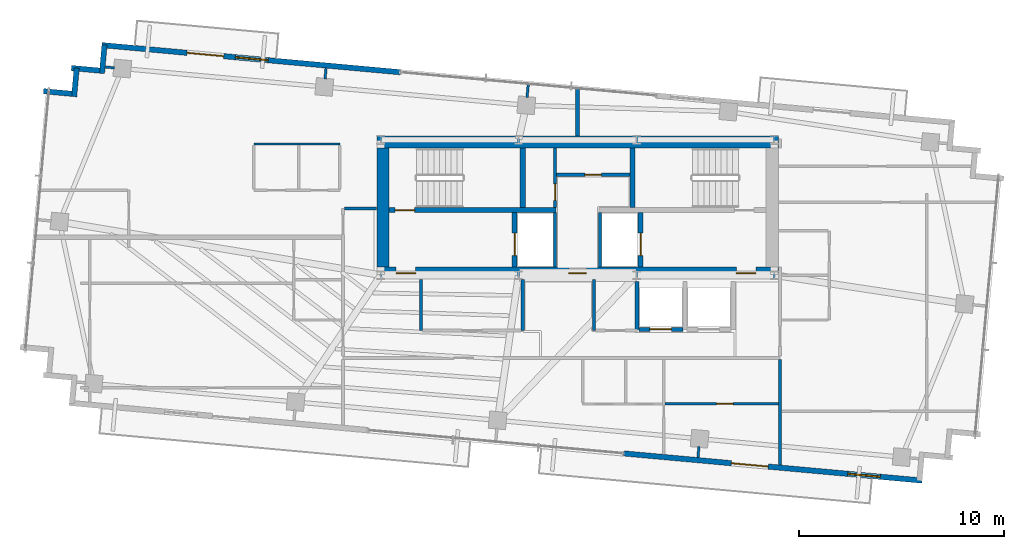
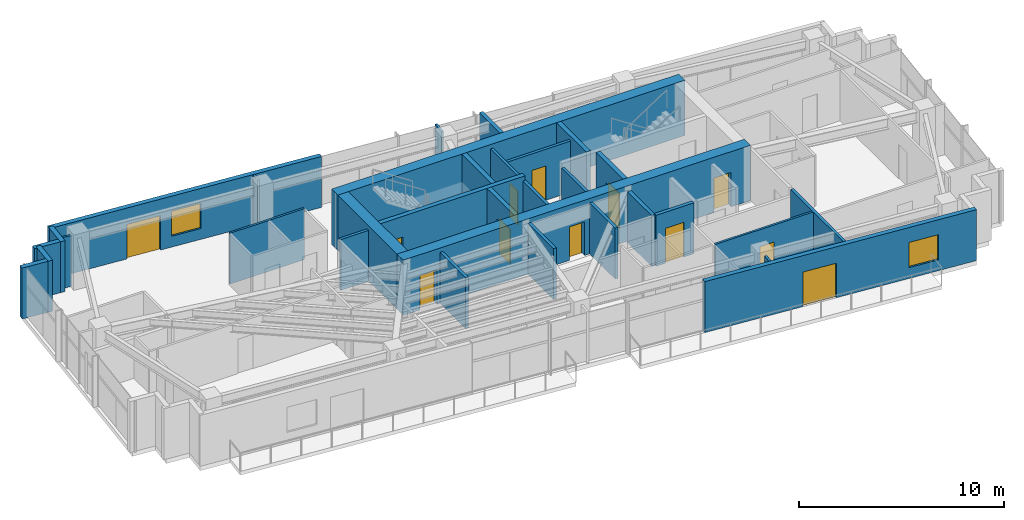
# One storey, part 17 of 22: 32 walls, 12 doors, 2 windows, 14 openings.
"""IFC4 building model written with IfcOpenShell, lengths in metres."""

from ifc_helpers import new_model, si_unit, direction, frame, frame_2d, origin, place, context, subcontext, project, spatial, rectangle, extrude, source, transform, mapped, material, layer, layer_set, type_object, type_shapes, element, fill, save


model = new_model("IFC4")

# Units and contexts
model_context = context("Model", 3, precision=1e-05, world=origin(), true_north=direction((0.0, 1.0)))
body_context = subcontext(model_context, "Body", "Model", "MODEL_VIEW")
ifc_project = project(units=[si_unit("LENGTHUNIT", "METRE"), si_unit("AREAUNIT", "SQUARE_METRE"), si_unit("VOLUMEUNIT", "CUBIC_METRE"), si_unit("PLANEANGLEUNIT", "RADIAN"), si_unit("MASSUNIT", "GRAM", prefix="KILO")], contexts=[model_context])

# Site, building, storey
site_placement = place(None, origin())
site = spatial("IfcSite", under=ifc_project, at=site_placement, CompositionType="ELEMENT")
building_placement = place(site_placement, origin())
building = spatial("IfcBuilding", under=site, at=building_placement, Name="Astriad Promenade Condominiums", CompositionType="ELEMENT")
storey_placement = place(building_placement, frame((0.0, 0.0, 252.89990234375)))
storey = spatial("IfcBuildingStorey", under=building, at=storey_placement, Name="L73", CompositionType="ELEMENT", Elevation=252.89990234375)

# Wall, openings, doors
ifc_material_1 = material(Name="Concrete C50/60", Category="concrete")
ifc_layer_1 = layer(ifc_material_1, 0.60009765625)
ifc_layer_set_1 = layer_set([ifc_layer_1], Name="Concrete C50/60")
wall_type_1 = type_object("IfcWallType", Name="CW-SHEAR-600", PredefinedType="SHEAR", material=ifc_layer_set_1)
wall_1_placement = place(storey_placement, frame((26.199951171875, 17.5, 0.0), z_axis=(0.0, 0.0, 1.0), x_axis=(1.0, 0.0, 0.0)))
wall_1 = element("IfcWall", 1, at=wall_1_placement, inside=storey, type_object=wall_type_1, Name="CW-CORE-S-L73", PredefinedType="SHEAR", context=body_context, shape_type="SweptSolid", body=[
    extrude(rectangle(XDim=19.60009765625, YDim=0.60009765625, at=frame_2d((9.800048828125, 0.0))), origin(), (0.0, 0.0, 1.0), 3.300048828125),
])
opening_1_placement = place(wall_1_placement, frame((0.949951171875, 0.0, 0.0)))
opening_1 = element("IfcOpeningElement", 2, at=opening_1_placement, cuts=wall_1, Name="Opening FD90-ST-095", PredefinedType="OPENING", context=body_context, shape_type="SweptSolid", body=[
    extrude(rectangle(XDim=0.949951171875, YDim=2.06005859375, at=frame_2d((0.47509765625, 1.030029296875))), frame((0.0, 0.31005859375, 0.0), z_axis=(0.0, -1.0, 0.0), x_axis=(1.0, 0.0, 0.0)), (0.0, 0.0, 1.0), 0.6201171875),
])
opening_2_placement = place(wall_1_placement, frame((9.3798828125, 0.0, 0.0)))
opening_2 = element("IfcOpeningElement", 3, at=opening_2_placement, cuts=wall_1, Name="Opening FD60-ULOW-085", PredefinedType="OPENING", context=body_context, shape_type="SweptSolid", body=[
    extrude(rectangle(XDim=0.85009765625, YDim=2.0, at=frame_2d((0.425048828125, 1.0))), frame((0.0, 0.31005859375, 0.0), z_axis=(0.0, -1.0, 0.0), x_axis=(1.0, 0.0, 0.0)), (0.0, 0.0, 1.0), 0.6201171875),
])
opening_3_placement = place(wall_1_placement, frame((17.550048828125, 0.0, 0.0)))
opening_3 = element("IfcOpeningElement", 4, at=opening_3_placement, cuts=wall_1, Name="Opening FD90-ST-095", PredefinedType="OPENING", context=body_context, shape_type="SweptSolid", body=[
    extrude(rectangle(XDim=0.949951171875, YDim=2.06005859375, at=frame_2d((0.47509765625, 1.030029296875))), frame((0.0, 0.31005859375, 0.0), z_axis=(0.0, -1.0, 0.0), x_axis=(1.0, 0.0, 0.0)), (0.0, 0.0, 1.0), 0.6201171875),
])
ifc_material_2 = material(Name="Fire-Rated Hollow Metal Stair Door")
door_type_1 = type_object("IfcDoorType", Name="FD90-ST-095", OperationType="NOTDEFINED", PredefinedType="DOOR", material=ifc_material_2)
shared_shape_1 = source(origin(), body_context, "Body", "SweptSolid", [
    extrude(rectangle(XDim=0.949951171875, YDim=2.06005859375, at=frame_2d((0.47509765625, 1.030029296875))), frame((0.0, 0.02490234375, 0.0), z_axis=(0.0, -1.0, 0.0), x_axis=(1.0, 0.0, 0.0)), (0.0, 0.0, 1.0), 0.050048828125),
])
type_shapes(door_type_1, [shared_shape_1])
door_1_placement = place(opening_1_placement, origin())
door_1 = element("IfcDoor", 5, at=door_1_placement, inside=storey, type_object=door_type_1, Name="D-FFW-L73", OperationType="SINGLE_SWING_LEFT", OverallHeight=2.06005859375, OverallWidth=0.949951171875, PredefinedType="DOOR", context=body_context, shape_type="MappedRepresentation", body=[
    mapped(shared_shape_1, transform((0.0, 0.0, 0.0), scale=1.0)),
])
fill(opening_1, door_1)
door_2_placement = place(opening_3_placement, origin())
door_2 = element("IfcDoor", 6, at=door_2_placement, inside=storey, type_object=door_type_1, Name="D-FFE-L73", OperationType="SINGLE_SWING_RIGHT", OverallHeight=2.06005859375, OverallWidth=0.949951171875, PredefinedType="DOOR", context=body_context, shape_type="MappedRepresentation", body=[
    mapped(shared_shape_1, transform((0.0, 0.0, 0.0), scale=1.0)),
])
fill(opening_3, door_2)
ifc_material_3 = material(Name="Solid-Core Low-Headroom Fire Door")
door_type_2 = type_object("IfcDoorType", Name="FD60-ULOW-085", OperationType="NOTDEFINED", PredefinedType="DOOR", material=ifc_material_3)
shared_shape_2 = source(origin(), body_context, "Body", "SweptSolid", [
    extrude(rectangle(XDim=0.85009765625, YDim=2.0, at=frame_2d((0.425048828125, 1.0))), frame((0.0, 0.02490234375, 0.0), z_axis=(0.0, -1.0, 0.0), x_axis=(1.0, 0.0, 0.0)), (0.0, 0.0, 1.0), 0.050048828125),
])
type_shapes(door_type_2, [shared_shape_2])
door_3_placement = place(opening_2_placement, origin())
door_3 = element("IfcDoor", 7, at=door_3_placement, inside=storey, type_object=door_type_2, Name="D-CSL-L73", OperationType="SINGLE_SWING_RIGHT", OverallHeight=2.0, OverallWidth=0.85009765625, PredefinedType="DOOR", context=body_context, shape_type="MappedRepresentation", body=[
    mapped(shared_shape_2, transform((0.0, 0.0, 0.0), scale=1.0)),
])
fill(opening_2, door_3)

# Walls
wall_2_placement = place(storey_placement, frame((26.199951171875, 23.89990234375, 0.0), z_axis=(0.0, 0.0, 1.0), x_axis=(1.0, 0.0, 0.0)))
element("IfcWall", 8, at=wall_2_placement, inside=storey, type_object=wall_type_1, Name="CW-CORE-N-L73", PredefinedType="SHEAR", context=body_context, shape_type="SweptSolid", body=[
    extrude(rectangle(XDim=19.60009765625, YDim=0.60009765625, at=frame_2d((9.800048828125, 0.0))), origin(), (0.0, 0.0, 1.0), 3.300048828125),
])
wall_3_placement = place(storey_placement, frame((26.5, 17.802001953125, 0.0), z_axis=(0.0, 0.0, 1.0), x_axis=(0.0, 1.0, 0.0)))
element("IfcWall", 9, at=wall_3_placement, inside=storey, type_object=wall_type_1, Name="CW-CORE-W-L73", PredefinedType="SHEAR", context=body_context, shape_type="SweptSolid", body=[
    extrude(rectangle(XDim=5.7958984375, YDim=0.60009765625, at=frame_2d((2.89794921875, 0.0))), origin(), (0.0, 0.0, 1.0), 3.300048828125),
])

# Wall, opening, door
ifc_layer_2 = layer(ifc_material_1, 0.25)
ifc_layer_set_2 = layer_set([ifc_layer_2], Name="Concrete C50/60")
wall_type_2 = type_object("IfcWallType", Name="WALL-CORE-INT-250", PredefinedType="SOLIDWALL", material=ifc_layer_set_2)
wall_4_placement = place(storey_placement, frame((26.802001953125, 20.574951171875, 0.0), z_axis=(0.0, 0.0, 1.0), x_axis=(1.0, 0.0, 0.0)))
wall_4 = element("IfcWall", 10, at=wall_4_placement, inside=storey, type_object=wall_type_2, Name="CW-INT-H1-L73", PredefinedType="SOLIDWALL", context=body_context, shape_type="SweptSolid", body=[
    extrude(rectangle(XDim=8.14794921875, YDim=0.25, at=frame_2d((4.073974609375, 0.0))), origin(), (0.0, 0.0, 1.0), 3.300048828125),
])
opening_4_placement = place(wall_4_placement, frame((0.298095703125, 0.0, 0.0)))
opening_4 = element("IfcOpeningElement", 11, at=opening_4_placement, cuts=wall_4, Name="Opening FD90-ST-095", PredefinedType="OPENING", context=body_context, shape_type="SweptSolid", body=[
    extrude(rectangle(XDim=0.949951171875, YDim=2.06005859375, at=frame_2d((0.47509765625, 1.030029296875))), frame((0.0, 0.135009765625, 0.0), z_axis=(0.0, -1.0, 0.0), x_axis=(1.0, 0.0, 0.0)), (0.0, 0.0, 1.0), 0.27001953125),
])
door_4_placement = place(opening_4_placement, origin())
door_4 = element("IfcDoor", 12, at=door_4_placement, inside=storey, type_object=door_type_1, Name="D-ST1-L73", OperationType="SINGLE_SWING_LEFT", OverallHeight=2.06005859375, OverallWidth=0.949951171875, PredefinedType="DOOR", context=body_context, shape_type="MappedRepresentation", body=[
    mapped(shared_shape_1, transform((0.0, 0.0, 0.0), scale=1.0)),
])
fill(opening_4, door_4)

# Walls
for number, where, z_axis, x_axis, name in (
    (13, (33.324951171875, 20.701904296875, 0.0), (0.0, 0.0, 1.0), (0.0, 1.0, 0.0), "CW-ST1-E-L73"),
    (14, (38.675048828125, 20.701904296875, 0.0), (0.0, 0.0, 1.0), (0.0, 1.0, 0.0), "CW-ST2-W-L73"),
):
    element("IfcWall", number, at=place(storey_placement, frame(where, z_axis=z_axis, x_axis=x_axis)), inside=storey, type_object=wall_type_2, Name=name, PredefinedType="SOLIDWALL", context=body_context, shape_type="SweptSolid", body=[
        extrude(rectangle(XDim=2.89599609375, YDim=0.25, at=frame_2d((1.447998046875, 0.0))), origin(), (0.0, 0.0, 1.0), 3.300048828125),
    ])

# Wall, opening, door
wall_5_placement = place(storey_placement, frame((32.925048828125, 17.802001953125, 0.0), z_axis=(0.0, 0.0, 1.0), x_axis=(0.0, 1.0, 0.0)))
wall_5 = element("IfcWall", 15, at=wall_5_placement, inside=storey, type_object=wall_type_2, Name="CW-FFL1-W-L73", PredefinedType="SOLIDWALL", context=body_context, shape_type="SweptSolid", body=[
    extrude(rectangle(XDim=2.64599609375, YDim=0.25, at=frame_2d((1.322998046875, 0.0))), origin(), (0.0, 0.0, 1.0), 3.300048828125),
])
opening_5_placement = place(wall_5_placement, frame((0.548095703125, 0.0, 0.0)))
opening_5 = element("IfcOpeningElement", 16, at=opening_5_placement, cuts=wall_5, Name="Opening LD-FFL-1122", PredefinedType="OPENING", context=body_context, shape_type="SweptSolid", body=[
    extrude(rectangle(XDim=1.10009765625, YDim=2.080078125, at=frame_2d((0.550048828125, 1.0400390625))), frame((0.0, 0.135009765625, 0.0), z_axis=(0.0, -1.0, 0.0), x_axis=(1.0, 0.0, 0.0)), (0.0, 0.0, 1.0), 0.27001953125),
])
ifc_material_4 = material(Name="Brushed Stainless Steel Fire Elevator Landing Door", Category="steel")
door_type_3 = type_object("IfcDoorType", Name="LD-FFL-1122", OperationType="NOTDEFINED", PredefinedType="DOOR", material=ifc_material_4)
shared_shape_3 = source(origin(), body_context, "Body", "SweptSolid", [
    extrude(rectangle(XDim=1.10009765625, YDim=2.080078125, at=frame_2d((0.550048828125, 1.0400390625))), frame((0.0, 0.02490234375, 0.0), z_axis=(0.0, -1.0, 0.0), x_axis=(1.0, 0.0, 0.0)), (0.0, 0.0, 1.0), 0.050048828125),
])
type_shapes(door_type_3, [shared_shape_3])
door_5_placement = place(opening_5_placement, origin())
door_5 = element("IfcDoor", 17, at=door_5_placement, inside=storey, type_object=door_type_3, Name="Elevator Landing Door FFL-1 (L73)", OperationType="SLIDING_TO_LEFT", OverallHeight=2.080078125, OverallWidth=1.10009765625, PredefinedType="DOOR", context=body_context, shape_type="MappedRepresentation", body=[
    mapped(shared_shape_3, transform((0.0, 0.0, 0.0), scale=1.0)),
])
fill(opening_5, door_5)

wall_6_placement = place(storey_placement, frame((39.074951171875, 17.802001953125, 0.0), z_axis=(0.0, 0.0, 1.0), x_axis=(0.0, 1.0, 0.0)))
wall_6 = element("IfcWall", 18, at=wall_6_placement, inside=storey, type_object=wall_type_2, Name="CW-FFL2-E-L73", PredefinedType="SOLIDWALL", context=body_context, shape_type="SweptSolid", body=[
    extrude(rectangle(XDim=2.64599609375, YDim=0.25, at=frame_2d((1.322998046875, 0.0))), origin(), (0.0, 0.0, 1.0), 3.300048828125),
])
opening_6_placement = place(wall_6_placement, frame((0.548095703125, 0.0, 0.0)))
opening_6 = element("IfcOpeningElement", 19, at=opening_6_placement, cuts=wall_6, Name="Opening LD-FFL-1122", PredefinedType="OPENING", context=body_context, shape_type="SweptSolid", body=[
    extrude(rectangle(XDim=1.10009765625, YDim=2.080078125, at=frame_2d((0.550048828125, 1.0400390625))), frame((0.0, 0.135009765625, 0.0), z_axis=(0.0, -1.0, 0.0), x_axis=(1.0, 0.0, 0.0)), (0.0, 0.0, 1.0), 0.27001953125),
])
door_6_placement = place(opening_6_placement, origin())
door_6 = element("IfcDoor", 20, at=door_6_placement, inside=storey, type_object=door_type_3, Name="Elevator Landing Door FFL-2 (L73)", OperationType="SLIDING_TO_RIGHT", OverallHeight=2.080078125, OverallWidth=1.10009765625, PredefinedType="DOOR", context=body_context, shape_type="MappedRepresentation", body=[
    mapped(shared_shape_3, transform((0.0, 0.0, 0.0), scale=1.0)),
])
fill(opening_6, door_6)

# Walls
ifc_material_5 = material(Name="Fire-Rated Gypsum Partition")
ifc_layer_3 = layer(ifc_material_5, 0.159912109375)
ifc_layer_set_3 = layer_set([ifc_layer_3], Name="Fire-Rated Gypsum Partition")
wall_type_3 = type_object("IfcWallType", Name="WALL-CORR-160", PredefinedType="PARTITIONING", material=ifc_layer_set_3)
for number, where, z_axis, x_axis, name in (
    (21, (34.89990234375, 17.802001953125, 0.0), (0.0, 0.0, 1.0), (0.0, 1.0, 0.0), "CW-FFL1-E-L73"),
    (22, (37.10009765625, 17.802001953125, 0.0), (0.0, 0.0, 1.0), (0.0, 1.0, 0.0), "CW-FFL2-W-L73"),
):
    element("IfcWall", number, at=place(storey_placement, frame(where, z_axis=z_axis, x_axis=x_axis)), inside=storey, type_object=wall_type_3, Name=name, PredefinedType="PARTITIONING", context=body_context, shape_type="SweptSolid", body=[
        extrude(rectangle(XDim=2.64599609375, YDim=0.159912109375, at=frame_2d((1.322998046875, 0.0))), origin(), (0.0, 0.0, 1.0), 3.0400390625),
    ])

# Wall, opening, door
wall_7_placement = place(storey_placement, frame((34.89990234375, 20.701904296875, 0.0), z_axis=(0.0, 0.0, 1.0), x_axis=(0.0, 1.0, 0.0)))
wall_7 = element("IfcWall", 23, at=wall_7_placement, inside=storey, type_object=wall_type_3, Name="CW-AUX-W-L73", PredefinedType="PARTITIONING", context=body_context, shape_type="SweptSolid", body=[
    extrude(rectangle(XDim=2.89599609375, YDim=0.159912109375, at=frame_2d((1.447998046875, 0.0))), origin(), (0.0, 0.0, 1.0), 3.0400390625),
])
opening_7_placement = place(wall_7_placement, frame((0.347900390625, 0.0, 0.0)))
opening_7 = element("IfcOpeningElement", 24, at=opening_7_placement, cuts=wall_7, Name="Opening FD60-SV-080", PredefinedType="OPENING", context=body_context, shape_type="SweptSolid", body=[
    extrude(rectangle(XDim=0.800048828125, YDim=2.050048828125, at=frame_2d((0.39990234375, 1.02490234375))), frame((0.0, 0.08984375, 0.0), z_axis=(0.0, -1.0, 0.0), x_axis=(1.0, 0.0, 0.0)), (0.0, 0.0, 1.0), 0.179931640625),
])
ifc_material_6 = material(Name="Fire-Rated Riser Closet Door")
door_type_4 = type_object("IfcDoorType", Name="FD60-SV-080", OperationType="NOTDEFINED", PredefinedType="DOOR", material=ifc_material_6)
shared_shape_4 = source(origin(), body_context, "Body", "SweptSolid", [
    extrude(rectangle(XDim=0.800048828125, YDim=2.050048828125, at=frame_2d((0.39990234375, 1.02490234375))), frame((0.0, 0.02490234375, 0.0), z_axis=(0.0, -1.0, 0.0), x_axis=(1.0, 0.0, 0.0)), (0.0, 0.0, 1.0), 0.050048828125),
])
type_shapes(door_type_4, [shared_shape_4])
door_7_placement = place(opening_7_placement, origin())
door_7 = element("IfcDoor", 25, at=door_7_placement, inside=storey, type_object=door_type_4, Name="D-AUX1-L73", OperationType="SINGLE_SWING_LEFT", OverallHeight=2.050048828125, OverallWidth=0.800048828125, PredefinedType="DOOR", context=body_context, shape_type="MappedRepresentation", body=[
    mapped(shared_shape_4, transform((0.0, 0.0, 0.0), scale=1.0)),
])
fill(opening_7, door_7)

wall_8_placement = place(storey_placement, frame((34.98193359375, 22.300048828125, 0.0), z_axis=(0.0, 0.0, 1.0), x_axis=(1.0, 0.0, 0.0)))
wall_8 = element("IfcWall", 26, at=wall_8_placement, inside=storey, type_object=wall_type_3, Name="CW-AUX-N-L73", PredefinedType="PARTITIONING", context=body_context, shape_type="SweptSolid", body=[
    extrude(rectangle(XDim=3.566162109375, YDim=0.159912109375, at=frame_2d((1.783203125, 0.0))), origin(), (0.0, 0.0, 1.0), 3.0400390625),
])
opening_8_placement = place(wall_8_placement, frame((1.3779296875, 0.0, 0.0)))
opening_8 = element("IfcOpeningElement", 27, at=opening_8_placement, cuts=wall_8, Name="Opening FD60-SV-080", PredefinedType="OPENING", context=body_context, shape_type="SweptSolid", body=[
    extrude(rectangle(XDim=0.800048828125, YDim=2.050048828125, at=frame_2d((0.39990234375, 1.02490234375))), frame((0.0, 0.08984375, 0.0), z_axis=(0.0, -1.0, 0.0), x_axis=(1.0, 0.0, 0.0)), (0.0, 0.0, 1.0), 0.179931640625),
])
door_8_placement = place(opening_8_placement, origin())
door_8 = element("IfcDoor", 28, at=door_8_placement, inside=storey, type_object=door_type_4, Name="D-AUX2-L73", OperationType="SINGLE_SWING_RIGHT", OverallHeight=2.050048828125, OverallWidth=0.800048828125, PredefinedType="DOOR", context=body_context, shape_type="MappedRepresentation", body=[
    mapped(shared_shape_4, transform((0.0, 0.0, 0.0), scale=1.0)),
])
fill(opening_8, door_8)

# Walls
wall_9_placement = place(storey_placement, frame((45.8798828125, 8.135986328125, 0.0), z_axis=(0.0, 0.0, 1.0), x_axis=(0.0, 1.0, 0.0)))
element("IfcWall", 29, at=wall_9_placement, inside=storey, type_object=wall_type_3, Name="PT-COR-E-L73", PredefinedType="PARTITIONING", context=body_context, shape_type="SweptSolid", body=[
    extrude(rectangle(XDim=5.14208984375, YDim=0.159912109375, at=frame_2d((2.571044921875, 0.0))), origin(), (0.0, 0.0, 1.0), 3.0400390625),
])
wall_10_placement = place(storey_placement, frame((24.632080078125, 20.64990234375, 0.0), z_axis=(0.0, 0.0, 1.0), x_axis=(1.0, 0.0, 0.0)))
element("IfcWall", 30, at=wall_10_placement, inside=storey, type_object=wall_type_3, Name="PT-Z3W-N-L73", PredefinedType="PARTITIONING", context=body_context, shape_type="SweptSolid", body=[
    extrude(rectangle(XDim=1.56591796875, YDim=0.159912109375, at=frame_2d((0.782958984375, 0.0))), origin(), (0.0, 0.0, 1.0), 3.0400390625),
])
for number, where, z_axis, x_axis, name in (
    (31, (28.360107421875, 14.699951171875, 0.0), (0.0, 0.0, 1.0), (0.0, 1.0, 0.0), "PT-Z3REC-W-L73"),
    (32, (33.320068359375, 14.699951171875, 0.0), (0.0, 0.0, 1.0), (0.0, 1.0, 0.0), "PT-Z3REC-E-L73"),
    (33, (36.800048828125, 14.699951171875, 0.0), (0.0, 0.0, 1.0), (0.0, 1.0, 0.0), "PT-Z3R2-W-L73"),
):
    element("IfcWall", number, at=place(storey_placement, frame(where, z_axis=z_axis, x_axis=x_axis)), inside=storey, type_object=wall_type_3, Name=name, PredefinedType="PARTITIONING", context=body_context, shape_type="SweptSolid", body=[
        extrude(rectangle(XDim=2.498046875, YDim=0.159912109375, at=frame_2d((1.2490234375, 0.0))), origin(), (0.0, 0.0, 1.0), 3.0400390625),
    ])
ifc_material_7 = material(Name="Acoustic Double-Stud Gypsum Partition")
ifc_layer_4 = layer(ifc_material_7, 0.199951171875)
ifc_layer_set_4 = layer_set([ifc_layer_4], Name="Acoustic Double-Stud Gypsum Partition")
wall_type_4 = type_object("IfcWallType", Name="WALL-DEMISING-200", PredefinedType="PARTITIONING", material=ifc_layer_set_4)
wall_11_placement = place(storey_placement, frame((36.0, 24.201904296875, 0.0), z_axis=(0.0, 0.0, 1.0), x_axis=(0.0, 1.0, 0.0)))
element("IfcWall", 34, at=wall_11_placement, inside=storey, type_object=wall_type_4, Name="PT-NC-MID-L73", PredefinedType="PARTITIONING", context=body_context, shape_type="SweptSolid", body=[
    extrude(rectangle(XDim=2.36328125, YDim=0.199951171875, at=frame_2d((1.181640625, 0.0))), origin(), (0.0, 0.0, 1.0), 3.0400390625),
])
ifc_material_8 = material(Name="Precast concrete C50/60", Category="concrete")
ifc_layer_5 = layer(ifc_material_8, 0.260009765625)
ifc_layer_set_5 = layer_set([ifc_layer_5], Name="Precast concrete C50/60")
wall_type_5 = type_object("IfcWallType", Name="WALL-EXT-TWR-260", PredefinedType="STANDARD", material=ifc_layer_set_5)
for number, where, z_axis, x_axis, name in (
    (35, (9.93505859375, 26.376708984375, 0.0), (0.0, 0.0, 1.0), (0.995881721538, -0.090661991521, 0.0), "W-SER-L73-04"),
    (36, (11.427001953125, 26.110595703125, 0.0), (0.0, 0.0, 1.0), (0.090835571917, 0.995865904063, 0.0), "W-SER-L73-05"),
):
    element("IfcWall", number, at=place(storey_placement, frame(where, z_axis=z_axis, x_axis=x_axis)), inside=storey, type_object=wall_type_5, Name=name, PredefinedType="STANDARD", context=body_context, shape_type="SweptSolid", body=[
        extrude(rectangle(XDim=1.39501953125, YDim=0.260009765625, at=frame_2d((0.697509765625, 0.0))), origin(), (0.0, 0.0, 1.0), 3.0400390625),
    ])
wall_12_placement = place(storey_placement, frame((11.293212890625, 27.50830078125, 0.0), z_axis=(0.0, 0.0, 1.0), x_axis=(0.995883159782, -0.090646191665, 0.0)))
element("IfcWall", 37, at=wall_12_placement, inside=storey, type_object=wall_type_5, Name="W-SER-L73-06", PredefinedType="STANDARD", context=body_context, shape_type="SweptSolid", body=[
    extrude(rectangle(XDim=1.395263671875, YDim=0.260009765625, at=frame_2d((0.69775390625, 0.0))), origin(), (0.0, 0.0, 1.0), 3.0400390625),
])
wall_13_placement = place(storey_placement, frame((12.785400390625, 27.241943359375, 0.0), z_axis=(0.0, 0.0, 1.0), x_axis=(0.090472632758, 0.995898942023, 0.0)))
element("IfcWall", 38, at=wall_13_placement, inside=storey, type_object=wall_type_5, Name="W-SER-L73-07", PredefinedType="STANDARD", context=body_context, shape_type="SweptSolid", body=[
    extrude(rectangle(XDim=1.39501953125, YDim=0.260009765625, at=frame_2d((0.697509765625, 0.0))), origin(), (0.0, 0.0, 1.0), 3.0400390625),
])

# Wall, openings, door, window
wall_14_placement = place(storey_placement, frame((12.78076171875, 28.628173828125, 0.0), z_axis=(0.0, 0.0, 1.0), x_axis=(0.995884584572, -0.090630536861, 0.0)))
wall_14 = element("IfcWall", 39, at=wall_14_placement, inside=storey, type_object=wall_type_5, Name="W-EXT-L73-N1", PredefinedType="STANDARD", context=body_context, shape_type="SweptSolid", body=[
    extrude(rectangle(XDim=14.630126953125, YDim=0.260009765625, at=frame_2d((7.31494140625, 0.0))), origin(), (0.0, 0.0, 1.0), 3.0400390625),
])
opening_9_placement = place(wall_14_placement, frame((4.173095703125, 0.0, 0.0)))
opening_9 = element("IfcOpeningElement", 40, at=opening_9_placement, cuts=wall_14, Name="Opening BD-1822-SLD", PredefinedType="OPENING", context=body_context, shape_type="SweptSolid", body=[
    extrude(rectangle(XDim=1.800048828125, YDim=2.06005859375, at=frame_2d((0.89990234375, 1.030029296875))), frame((0.0, 0.139892578125, 0.0), z_axis=(0.0, -1.0, 0.0), x_axis=(1.0, 0.0, 0.0)), (0.0, 0.0, 1.0), 0.280029296875),
])
opening_10_placement = place(wall_14_placement, frame((6.550048828125, 0.0, 0.64990234375)))
opening_10 = element("IfcOpeningElement", 41, at=opening_10_placement, cuts=wall_14, Name="Opening WIN-TWR-1620", PredefinedType="OPENING", context=body_context, shape_type="SweptSolid", body=[
    extrude(rectangle(XDim=1.60009765625, YDim=1.5, at=frame_2d((0.800048828125, 0.75))), frame((0.0, 0.139892578125, 0.0), z_axis=(0.0, -1.0, 0.0), x_axis=(1.0, 0.0, 0.0)), (0.0, 0.0, 1.0), 0.280029296875),
])
ifc_material_9 = material(Name="Thermally Broken Aluminium Sliding Balcony Door", Category="aluminium")
door_type_5 = type_object("IfcDoorType", Name="BD-1822-SLD", OperationType="NOTDEFINED", PredefinedType="DOOR", material=ifc_material_9)
shared_shape_5 = source(origin(), body_context, "Body", "SweptSolid", [
    extrude(rectangle(XDim=1.800048828125, YDim=2.06005859375, at=frame_2d((0.89990234375, 1.030029296875))), frame((0.0, 0.02490234375, 0.0), z_axis=(0.0, -1.0, 0.0), x_axis=(1.0, 0.0, 0.0)), (0.0, 0.0, 1.0), 0.050048828125),
])
type_shapes(door_type_5, [shared_shape_5])
door_9_placement = place(opening_9_placement, origin())
door_9 = element("IfcDoor", 42, at=door_9_placement, inside=storey, type_object=door_type_5, Name="BD-L73-NW", OperationType="SLIDING_TO_LEFT", OverallHeight=2.06005859375, OverallWidth=1.800048828125, PredefinedType="DOOR", context=body_context, shape_type="MappedRepresentation", body=[
    mapped(shared_shape_5, transform((0.0, 0.0, 0.0), scale=1.0)),
])
fill(opening_9, door_9)
ifc_material_10 = material(Name="Dark Tinted Triple-Glazed Aluminium Window", Category="aluminium")
window_type = type_object("IfcWindowType", Name="WIN-TWR-1620", PartitioningType="SINGLE_PANEL", PredefinedType="WINDOW", material=ifc_material_10)
shared_shape_6 = source(origin(), body_context, "Body", "SweptSolid", [
    extrude(rectangle(XDim=1.60009765625, YDim=1.5, at=frame_2d((0.800048828125, 0.75))), frame((0.0, 0.030029296875, 0.0), z_axis=(0.0, -1.0, 0.0), x_axis=(1.0, 0.0, 0.0)), (0.0, 0.0, 1.0), 0.06005859375),
])
type_shapes(window_type, [shared_shape_6])
window_1_placement = place(opening_10_placement, origin())
window_1 = element("IfcWindow", 43, at=window_1_placement, inside=storey, type_object=window_type, Name="WIN-L73-NW", OverallHeight=1.5, OverallWidth=1.60009765625, PartitioningType="SINGLE_PANEL", PredefinedType="WINDOW", context=body_context, shape_type="MappedRepresentation", body=[
    mapped(shared_shape_6, transform((0.0, 0.0, 0.0), scale=1.0)),
])
fill(opening_10, window_1)

wall_15_placement = place(storey_placement, frame((52.819091796875, 7.371826171875, 0.0), z_axis=(0.0, 0.0, 1.0), x_axis=(-0.995884447498, 0.090632043071, 0.0)))
wall_15 = element("IfcWall", 44, at=wall_15_placement, inside=storey, type_object=wall_type_5, Name="W-EXT-L73-S1", PredefinedType="STANDARD", context=body_context, shape_type="SweptSolid", body=[
    extrude(rectangle(XDim=14.6298828125, YDim=0.260009765625, at=frame_2d((7.31494140625, 0.0))), origin(), (0.0, 0.0, 1.0), 3.0400390625),
])
opening_11_placement = place(wall_15_placement, frame((7.549072265625, 0.0, 0.0)))
opening_11 = element("IfcOpeningElement", 45, at=opening_11_placement, cuts=wall_15, Name="Opening BD-1822-SLD", PredefinedType="OPENING", context=body_context, shape_type="SweptSolid", body=[
    extrude(rectangle(XDim=1.800048828125, YDim=2.06005859375, at=frame_2d((0.89990234375, 1.030029296875))), frame((0.0, 0.139892578125, 0.0), z_axis=(0.0, -1.0, 0.0), x_axis=(1.0, 0.0, 0.0)), (0.0, 0.0, 1.0), 0.280029296875),
])
opening_12_placement = place(wall_15_placement, frame((2.050048828125, 0.0, 0.64990234375)))
opening_12 = element("IfcOpeningElement", 46, at=opening_12_placement, cuts=wall_15, Name="Opening WIN-TWR-1620", PredefinedType="OPENING", context=body_context, shape_type="SweptSolid", body=[
    extrude(rectangle(XDim=1.60009765625, YDim=1.5, at=frame_2d((0.800048828125, 0.75))), frame((0.0, 0.139892578125, 0.0), z_axis=(0.0, -1.0, 0.0), x_axis=(1.0, 0.0, 0.0)), (0.0, 0.0, 1.0), 0.280029296875),
])
door_10_placement = place(opening_11_placement, origin())
door_10 = element("IfcDoor", 47, at=door_10_placement, inside=storey, type_object=door_type_5, Name="BD-L73-SE", OperationType="SLIDING_TO_RIGHT", OverallHeight=2.06005859375, OverallWidth=1.800048828125, PredefinedType="DOOR", context=body_context, shape_type="MappedRepresentation", body=[
    mapped(shared_shape_5, transform((0.0, 0.0, 0.0), scale=1.0)),
])
fill(opening_11, door_10)
window_2_placement = place(opening_12_placement, origin())
window_2 = element("IfcWindow", 48, at=window_2_placement, inside=storey, type_object=window_type, Name="WIN-L73-SE", OverallHeight=1.5, OverallWidth=1.60009765625, PartitioningType="SINGLE_PANEL", PredefinedType="WINDOW", context=body_context, shape_type="MappedRepresentation", body=[
    mapped(shared_shape_6, transform((0.0, 0.0, 0.0), scale=1.0)),
])
fill(opening_12, window_2)

# Wall, opening, door
ifc_material_11 = material(Name="Acoustic Metal-Stud Gypsum Partition")
ifc_layer_6 = layer(ifc_material_11, 0.1201171875)
ifc_layer_set_6 = layer_set([ifc_layer_6], Name="Acoustic Metal-Stud Gypsum Partition")
wall_type_6 = type_object("IfcWallType", Name="WALL-PART-120", PredefinedType="PARTITIONING", material=ifc_layer_set_6)
wall_16_placement = place(storey_placement, frame((40.261962890625, 11.116943359375, 0.0), z_axis=(0.0, 0.0, 1.0), x_axis=(1.0, 0.0, 0.0)))
wall_16 = element("IfcWall", 49, at=wall_16_placement, inside=storey, type_object=wall_type_6, Name="PT-L73-S1-ENS", PredefinedType="PARTITIONING", context=body_context, shape_type="SweptSolid", body=[
    extrude(rectangle(XDim=5.5361328125, YDim=0.1201171875, at=frame_2d((2.76806640625, 0.0))), origin(), (0.0, 0.0, 1.0), 3.0400390625),
])
opening_13_placement = place(wall_16_placement, frame((2.528076171875, 0.0, 0.0)))
opening_13 = element("IfcOpeningElement", 50, at=opening_13_placement, cuts=wall_16, Name="Opening D-WET-080", PredefinedType="OPENING", context=body_context, shape_type="SweptSolid", body=[
    extrude(rectangle(XDim=0.800048828125, YDim=2.02001953125, at=frame_2d((0.39990234375, 1.010009765625))), frame((0.0, 0.070068359375, 0.0), z_axis=(0.0, -1.0, 0.0), x_axis=(1.0, 0.0, 0.0)), (0.0, 0.0, 1.0), 0.14013671875),
])
ifc_material_12 = material(Name="Moisture-Resistant Timber Bathroom Door", Category="wood")
door_type_6 = type_object("IfcDoorType", Name="D-WET-080", OperationType="NOTDEFINED", PredefinedType="DOOR", material=ifc_material_12)
shared_shape_7 = source(origin(), body_context, "Body", "SweptSolid", [
    extrude(rectangle(XDim=0.800048828125, YDim=2.02001953125, at=frame_2d((0.39990234375, 1.010009765625))), frame((0.0, 0.02490234375, 0.0), z_axis=(0.0, -1.0, 0.0), x_axis=(1.0, 0.0, 0.0)), (0.0, 0.0, 1.0), 0.050048828125),
])
type_shapes(door_type_6, [shared_shape_7])
door_11_placement = place(opening_13_placement, origin())
door_11 = element("IfcDoor", 51, at=door_11_placement, inside=storey, type_object=door_type_6, Name="D-ENS-L73-S1", OperationType="SINGLE_SWING_LEFT", OverallHeight=2.02001953125, OverallWidth=0.800048828125, PredefinedType="DOOR", context=body_context, shape_type="MappedRepresentation", body=[
    mapped(shared_shape_7, transform((0.0, 0.0, 0.0), scale=1.0)),
])
fill(opening_13, door_11)

# Walls
wall_17_placement = place(storey_placement, frame((20.199951171875, 23.800048828125, 0.0), z_axis=(0.0, 0.0, 1.0), x_axis=(1.0, 0.0, 0.0)))
element("IfcWall", 52, at=wall_17_placement, inside=storey, type_object=wall_type_6, Name="PT-L73-W2-PHN", PredefinedType="PARTITIONING", context=body_context, shape_type="SweptSolid", body=[
    extrude(rectangle(XDim=4.199951171875, YDim=0.1201171875, at=frame_2d((2.10009765625, 0.0))), origin(), (0.0, 0.0, 1.0), 3.0400390625),
])
wall_18_placement = place(storey_placement, frame((41.92529296875, 9.0361328125, 0.0), z_axis=(0.0, 0.0, 1.0), x_axis=(-0.090740281653, -0.995874591144, 0.0)))
element("IfcWall", 53, at=wall_18_placement, inside=storey, type_object=wall_type_6, Name="PT-PIL-L73-PC04-11", PredefinedType="PARTITIONING", context=body_context, shape_type="SweptSolid", body=[
    extrude(rectangle(XDim=0.5380859375, YDim=0.1201171875, at=frame_2d((0.26904296875, 0.0))), origin(), (0.0, 0.0, 1.0), 3.0400390625),
])
wall_19_placement = place(storey_placement, frame((13.40283203125, 27.51708984375, 0.0), z_axis=(0.0, 0.0, 1.0), x_axis=(-0.995884462012, 0.090631883588, 0.0)))
element("IfcWall", 54, at=wall_19_placement, inside=storey, type_object=wall_type_6, Name="PT-PIL-L73-PC06-13", PredefinedType="PARTITIONING", context=body_context, shape_type="SweptSolid", body=[
    extrude(rectangle(XDim=0.4580078125, YDim=0.1201171875, at=frame_2d((0.22900390625, 0.0))), origin(), (0.0, 0.0, 1.0), 3.0400390625),
])
wall_20_placement = place(storey_placement, frame((23.6748046875, 26.9638671875, 0.0), z_axis=(0.0, 0.0, 1.0), x_axis=(0.090740281653, 0.995874591144, 0.0)))
element("IfcWall", 55, at=wall_20_placement, inside=storey, type_object=wall_type_6, Name="PT-PIL-L73-PC07-14", PredefinedType="PARTITIONING", context=body_context, shape_type="SweptSolid", body=[
    extrude(rectangle(XDim=0.5380859375, YDim=0.1201171875, at=frame_2d((0.26904296875, 0.0))), origin(), (0.0, 0.0, 1.0), 3.0400390625),
])
wall_21_placement = place(storey_placement, frame((33.5341796875, 26.066650390625, 0.0), z_axis=(0.0, 0.0, 1.0), x_axis=(0.090535746043, 0.995893206468, 0.0)))
element("IfcWall", 56, at=wall_21_placement, inside=storey, type_object=wall_type_6, Name="PT-PIL-L73-PC08-15", PredefinedType="PARTITIONING", context=body_context, shape_type="SweptSolid", body=[
    extrude(rectangle(XDim=0.719970703125, YDim=0.1201171875, at=frame_2d((0.35986328125, 0.0))), origin(), (0.0, 0.0, 1.0), 3.0400390625),
])
ifc_material_13 = material(Name="Gypsum Shaftliner Assembly")
ifc_layer_7 = layer(ifc_material_13, 0.199951171875)
ifc_layer_set_7 = layer_set([ifc_layer_7], Name="Gypsum Shaftliner Assembly")
wall_type_7 = type_object("IfcWallType", Name="WALL-SHAFT-200", PredefinedType="PARTITIONING", material=ifc_layer_set_7)
wall_22_placement = place(storey_placement, frame((38.89990234375, 14.75, 0.0), z_axis=(0.0, 0.0, 1.0), x_axis=(0.0, 1.0, 0.0)))
element("IfcWall", 57, at=wall_22_placement, inside=storey, type_object=wall_type_7, Name="PL-MH-DIV-L73", PredefinedType="PARTITIONING", context=body_context, shape_type="SweptSolid", body=[
    extrude(rectangle(XDim=2.35009765625, YDim=0.199951171875, at=frame_2d((1.175048828125, 0.0))), origin(), (0.0, 0.0, 1.0), 3.0400390625),
])

# Wall, opening, door
wall_23_placement = place(storey_placement, frame((39.001953125, 14.75, 0.0), z_axis=(0.0, 0.0, 1.0), x_axis=(1.0, 0.0, 0.0)))
wall_23 = element("IfcWall", 58, at=wall_23_placement, inside=storey, type_object=wall_type_7, Name="PL-H-FRT-L73", PredefinedType="PARTITIONING", context=body_context, shape_type="SweptSolid", body=[
    extrude(rectangle(XDim=2.14599609375, YDim=0.199951171875, at=frame_2d((1.072998046875, 0.0))), origin(), (0.0, 0.0, 1.0), 3.0400390625),
])
opening_14_placement = place(wall_23_placement, frame((0.52294921875, 0.0, 0.0)))
opening_14 = element("IfcOpeningElement", 59, at=opening_14_placement, cuts=wall_23, Name="Opening LD-PL-10522", PredefinedType="OPENING", context=body_context, shape_type="SweptSolid", body=[
    extrude(rectangle(XDim=1.050048828125, YDim=2.080078125, at=frame_2d((0.52490234375, 1.0400390625))), frame((0.0, 0.10986328125, 0.0), z_axis=(0.0, -1.0, 0.0), x_axis=(1.0, 0.0, 0.0)), (0.0, 0.0, 1.0), 0.219970703125),
])
ifc_material_14 = material(Name="Brushed Bronze Passenger Elevator Landing Door")
door_type_7 = type_object("IfcDoorType", Name="LD-PL-10522", OperationType="NOTDEFINED", PredefinedType="DOOR", material=ifc_material_14)
shared_shape_8 = source(origin(), body_context, "Body", "SweptSolid", [
    extrude(rectangle(XDim=1.050048828125, YDim=2.080078125, at=frame_2d((0.52490234375, 1.0400390625))), frame((0.0, 0.02490234375, 0.0), z_axis=(0.0, -1.0, 0.0), x_axis=(1.0, 0.0, 0.0)), (0.0, 0.0, 1.0), 0.050048828125),
])
type_shapes(door_type_7, [shared_shape_8])
door_12_placement = place(opening_14_placement, origin())
door_12 = element("IfcDoor", 60, at=door_12_placement, inside=storey, type_object=door_type_7, Name="Elevator Landing Door PL-H1 (L73)", OperationType="SLIDING_TO_LEFT", OverallHeight=2.080078125, OverallWidth=1.050048828125, PredefinedType="DOOR", context=body_context, shape_type="MappedRepresentation", body=[
    mapped(shared_shape_8, transform((0.0, 0.0, 0.0), scale=1.0)),
])
fill(opening_14, door_12)

save(model, "model.ifc")
